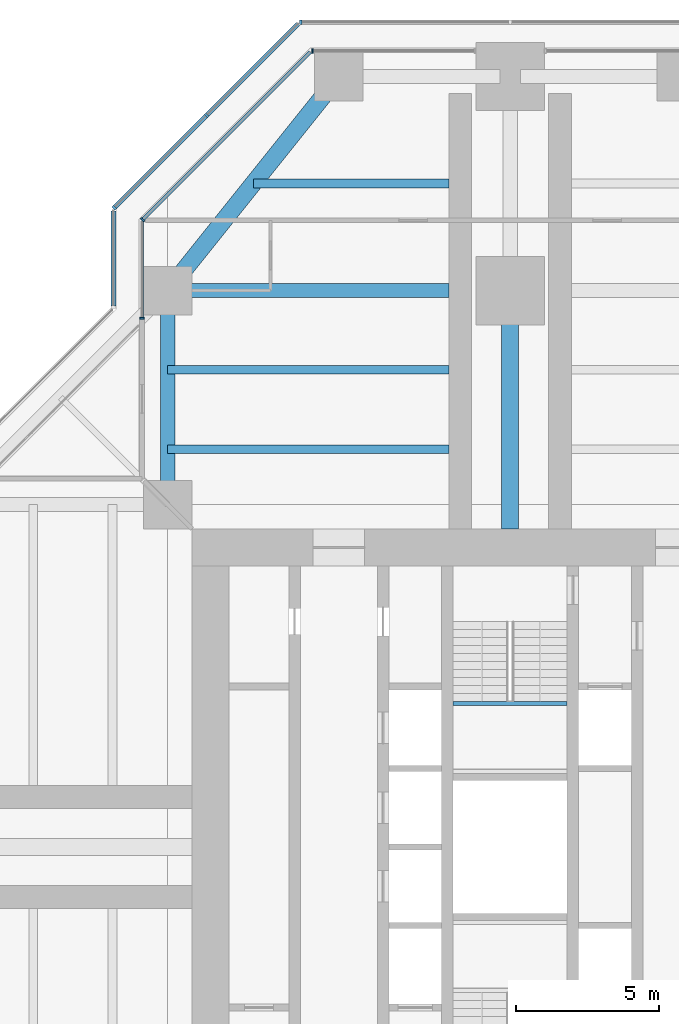
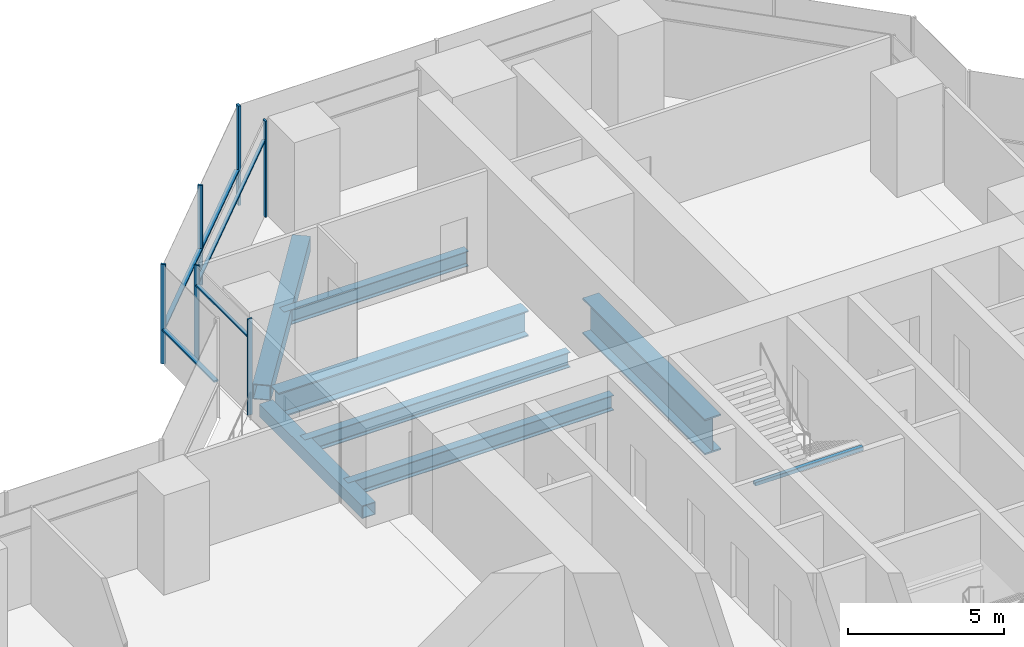
# One storey, part 8 of 19: 11 members, 8 beams, 6 elements without a shape of their own.
"""IFC4 building model written with IfcOpenShell, lengths in metres."""

from ifc_helpers import new_model, si_unit, direction, frame, origin, origin_2d, place, context, subcontext, project, spatial, rectangle, hollow_rectangle, i_section, extrude, material, material_profile, profile_set, type_object, element, aggregate, save


model = new_model("IFC4")

# Units and contexts
model_context = context("Model", 3, precision=1e-05, world=origin(), true_north=direction((0.0, 1.0)))
body_context = subcontext(model_context, "Body", "Model", "MODEL_VIEW")
ifc_project = project(units=[si_unit("LENGTHUNIT", "METRE"), si_unit("AREAUNIT", "SQUARE_METRE"), si_unit("VOLUMEUNIT", "CUBIC_METRE"), si_unit("PLANEANGLEUNIT", "RADIAN"), si_unit("MASSUNIT", "GRAM", prefix="KILO")], contexts=[model_context])

# Site, building, storey
site_placement = place(None, origin())
site = spatial("IfcSite", under=ifc_project, at=site_placement, CompositionType="ELEMENT")
building_placement = place(site_placement, origin())
building = spatial("IfcBuilding", under=site, at=building_placement, Name="Mizan Broadcast Tower", CompositionType="ELEMENT")
storey_placement = place(building_placement, frame((0.0, 0.0, 186.60009765625)))
storey = spatial("IfcBuildingStorey", under=building, at=storey_placement, Name="L43", CompositionType="ELEMENT", Elevation=186.60009765625)

# Beams
ifc_material_1 = material(Name="Steel S355", Category="steel")
ifc_material_profile_1 = material_profile(ifc_material_1, hollow_rectangle(XDim=0.5, YDim=0.5, WallThickness=0.030029296875, at=origin_2d()), Name="BOX 500x500x30")
ifc_profile_set_1 = profile_set([ifc_material_profile_1], Name="Steel S355")
beam_type_1 = type_object("IfcBeamType", Name="EDGE BEAM BOX 500x500x30", PredefinedType="SPANDREL", material=ifc_profile_set_1)
beam_1_placement = place(storey_placement, frame((-12.0, 12.449951171875, -0.380126953125), z_axis=(0.0, 1.0, 0.0), x_axis=(-1.0, 0.0, 0.0)))
element("IfcBeam", 1, at=beam_1_placement, inside=storey, type_object=beam_type_1, Name="Edge beam BOX 500x500x30 L43 north arm", PredefinedType="SPANDREL", context=body_context, shape_type="SweptSolid", body=[
    extrude(hollow_rectangle(XDim=0.5, YDim=0.5, WallThickness=0.030029296875, at=origin_2d()), origin(), (0.0, 0.0, 1.0), 6.60009765625),
])
ifc_material_2 = material(Name="Steel S355", Category="steel")
ifc_material_profile_2 = material_profile(ifc_material_2, hollow_rectangle(XDim=0.60009765625, YDim=0.60009765625, WallThickness=0.030029296875, at=origin_2d()), Name="BOX 600x600x30")
ifc_profile_set_2 = profile_set([ifc_material_profile_2], Name="Steel S355")
beam_type_2 = type_object("IfcBeamType", Name="EDGE BEAM BOX 600x600x30", PredefinedType="SPANDREL", material=ifc_profile_set_2)
beam_2_placement = place(storey_placement, frame((-11.639892578125, 19.949951171875, -0.43017578125), z_axis=(0.624673911726, 0.780885717636, 0.0), x_axis=(-0.780885717636, 0.624673911726, 0.0)))
element("IfcBeam", 2, at=beam_2_placement, inside=storey, type_object=beam_type_2, Name="Edge beam BOX 600x600x30 L43 north arm", PredefinedType="SPANDREL", context=body_context, shape_type="SweptSolid", body=[
    extrude(hollow_rectangle(XDim=0.60009765625, YDim=0.60009765625, WallThickness=0.030029296875, at=origin_2d()), origin(), (0.0, 0.0, 1.0), 8.4521484375),
])
ifc_material_3 = material(Name="Steel S460", Category="steel")
ifc_material_profile_3 = material_profile(ifc_material_3, i_section(OverallWidth=0.5, OverallDepth=1.0, WebThickness=0.02490234375, FlangeThickness=0.050048828125, at=origin_2d()), Name="WPG 1000x500")
ifc_profile_set_3 = profile_set([ifc_material_profile_3], Name="Steel S460")
beam_type_3 = type_object("IfcBeamType", Name="GIRDER WPG 1000x500", PredefinedType="BEAM", material=ifc_profile_set_3)
beam_3_placement = place(storey_placement, frame((-11.408935546875, 19.5, -0.630126953125), z_axis=(1.0, 0.0, 0.0), x_axis=(0.0, 1.0, 0.0)))
element("IfcBeam", 3, at=beam_3_placement, inside=storey, type_object=beam_type_3, Name="Girder WPG 1000x500 L43 north arm", PredefinedType="BEAM", context=body_context, shape_type="SweptSolid", body=[
    extrude(i_section(OverallWidth=0.5, OverallDepth=1.0, WebThickness=0.02490234375, FlangeThickness=0.050048828125, at=origin_2d()), origin(), (0.0, 0.0, 1.0), 9.259033203125),
])
ifc_material_4 = material(Name="Steel S460", Category="steel")
ifc_material_profile_4 = material_profile(ifc_material_4, i_section(OverallWidth=0.60009765625, OverallDepth=1.39990234375, WebThickness=0.02490234375, FlangeThickness=0.06005859375, at=origin_2d()), Name="WPG 1400x600")
ifc_profile_set_4 = profile_set([ifc_material_profile_4], Name="Steel S460")
beam_type_4 = type_object("IfcBeamType", Name="GIRDER WPG 1400x600", PredefinedType="BEAM", material=ifc_profile_set_4)
beam_4_placement = place(storey_placement, frame((0.0, 11.14990234375, -0.830078125), z_axis=(0.0, 1.0, 0.0), x_axis=(-1.0, 0.0, 0.0)))
element("IfcBeam", 4, at=beam_4_placement, inside=storey, type_object=beam_type_4, Name="Girder WPG 1400x600 L43 north arm", PredefinedType="BEAM", context=body_context, shape_type="SweptSolid", body=[
    extrude(i_section(OverallWidth=0.60009765625, OverallDepth=1.39990234375, WebThickness=0.02490234375, FlangeThickness=0.06005859375, at=origin_2d()), origin(), (0.0, 0.0, 1.0), 7.84912109375),
])

# Curtain wall, member
ifc_material_5 = material(Name="Aluminium framed glazing", Category="aluminium")
curtain_wall_type_1 = type_object("IfcCurtainWallType", Name="INNER SKIN MID ZONE", PredefinedType="USERDEFINED", material=ifc_material_5)
curtain_wall_1_placement = place(storey_placement, origin())
curtain_wall_1 = element("IfcCurtainWall", 5, at=curtain_wall_1_placement, inside=storey, type_object=curtain_wall_type_1, Name="Inner skin mid zone L43 N end", ObjectType="INNER SKIN MID ZONE", PredefinedType="USERDEFINED")
ifc_material_6 = material(Name="Aluminium, pale anodised", Category="aluminium")
ifc_material_profile_5 = material_profile(ifc_material_6, rectangle(XDim=0.159912109375, YDim=0.06005859375, at=origin_2d()), Name="MULLION 160x60")
ifc_profile_set_5 = profile_set([ifc_material_profile_5], Name="Aluminium, pale anodised")
member_type_1 = type_object("IfcMemberType", Name="INNER SKIN MULLION 60x160", PredefinedType="MULLION", material=ifc_profile_set_5)
member_1_placement = place(storey_placement, frame((-6.928466796875, 27.89990234375, 0.0), z_axis=(0.0, 0.0, 1.0), x_axis=(0.0, -1.0, 0.0)))
member_1 = element("IfcMember", 6, at=member_1_placement, type_object=member_type_1, Name="Inner skin mid zone L43 N end mullion 2", PredefinedType="MULLION", context=body_context, shape_type="SweptSolid", body=[
    extrude(rectangle(XDim=0.159912109375, YDim=0.06005859375, at=origin_2d()), origin(), (0.0, 0.0, 1.0), 3.77001953125),
])
aggregate(curtain_wall_1, [member_1])

curtain_wall_2_placement = place(storey_placement, origin())
curtain_wall_2 = element("IfcCurtainWall", 7, at=curtain_wall_2_placement, inside=storey, type_object=curtain_wall_type_1, Name="Inner skin mid zone L43 N chamfer", ObjectType="INNER SKIN MID ZONE", PredefinedType="USERDEFINED")
member_2_placement = place(storey_placement, frame((-12.87890625, 21.979736328125, 0.0), z_axis=(0.0, 0.0, 1.0), x_axis=(0.707106781187, -0.707106781187, 0.0)))
member_2 = element("IfcMember", 8, at=member_2_placement, type_object=member_type_1, Name="Inner skin mid zone L43 N chamfer mullion 2", PredefinedType="MULLION", context=body_context, shape_type="SweptSolid", body=[
    extrude(rectangle(XDim=0.159912109375, YDim=0.06005859375, at=origin_2d()), origin(), (0.0, 0.0, 1.0), 3.77001953125),
])

curtain_wall_3_placement = place(storey_placement, origin())
curtain_wall_3 = element("IfcCurtainWall", 9, at=curtain_wall_3_placement, inside=storey, type_object=curtain_wall_type_1, Name="Inner skin mid zone L43 N side", ObjectType="INNER SKIN MID ZONE", PredefinedType="USERDEFINED")
member_3_placement = place(storey_placement, frame((-12.89990234375, 18.530029296875, 0.0), z_axis=(0.0, 0.0, 1.0), x_axis=(1.0, 0.0, 0.0)))
member_3 = element("IfcMember", 10, at=member_3_placement, type_object=member_type_1, Name="Inner skin mid zone L43 N side mullion 2", PredefinedType="MULLION", context=body_context, shape_type="SweptSolid", body=[
    extrude(rectangle(XDim=0.159912109375, YDim=0.06005859375, at=origin_2d()), origin(), (0.0, 0.0, 1.0), 3.77001953125),
])

# Member
ifc_material_7 = material(Name="Aluminium, pale anodised", Category="aluminium")
ifc_material_profile_6 = material_profile(ifc_material_7, rectangle(XDim=0.1201171875, YDim=0.06005859375, at=origin_2d()), Name="TRANSOM 120x60")
ifc_profile_set_6 = profile_set([ifc_material_profile_6], Name="Aluminium, pale anodised")
member_type_2 = type_object("IfcMemberType", Name="INNER SKIN TRANSOM 60x120", PredefinedType="USERDEFINED", material=ifc_profile_set_6)
member_4_placement = place(storey_placement, frame((-7.0009765625, 27.857666015625, 3.02978515625), z_axis=(-0.707106781187, -0.707106781187, 0.0), x_axis=(0.707106781187, -0.707106781187, 0.0)))
member_4 = element("IfcMember", 11, at=member_4_placement, type_object=member_type_2, Name="Inner skin mid zone L43 N chamfer transom 1.1", ObjectType="TRANSOM", PredefinedType="USERDEFINED", context=body_context, shape_type="SweptSolid", body=[
    extrude(rectangle(XDim=0.1201171875, YDim=0.06005859375, at=origin_2d()), origin(), (0.0, 0.0, 1.0), 8.28271484375),
])

aggregate(curtain_wall_2, [member_2, member_4])

member_5_placement = place(storey_placement, frame((-12.89990234375, 21.898681640625, 3.02978515625), z_axis=(0.0, -1.0, 0.0), x_axis=(1.0, 0.0, 0.0)))
member_5 = element("IfcMember", 12, at=member_5_placement, type_object=member_type_2, Name="Inner skin mid zone L43 N side transom 1.1", ObjectType="TRANSOM", PredefinedType="USERDEFINED", context=body_context, shape_type="SweptSolid", body=[
    extrude(rectangle(XDim=0.1201171875, YDim=0.06005859375, at=origin_2d()), origin(), (0.0, 0.0, 1.0), 3.338623046875),
])

aggregate(curtain_wall_3, [member_3, member_5])

# Beam
ifc_material_8 = material(Name="Steel S355", Category="steel")
ifc_material_profile_7 = material_profile(ifc_material_8, hollow_rectangle(XDim=0.14990234375, YDim=0.14990234375, WallThickness=0.008056640625, InnerFilletRadius=0.008056640625, OuterFilletRadius=0.011962890625, at=origin_2d()), Name="SHS 150x150x8")
ifc_profile_set_7 = profile_set([ifc_material_profile_7], Name="Steel S355")
beam_type_5 = type_object("IfcBeamType", Name="LANDING TRIMMER SHS 150x150x8", PredefinedType="BEAM", material=ifc_profile_set_7)
beam_5_placement = place(storey_placement, frame((2.0, 5.02490234375, 1.6748046875), z_axis=(-1.0, 0.0, 0.0), x_axis=(0.0, -1.0, 0.0)))
element("IfcBeam", 13, at=beam_5_placement, inside=storey, type_object=beam_type_5, Name="Stair B landing trimmer L43", PredefinedType="BEAM", context=body_context, shape_type="SweptSolid", body=[
    extrude(hollow_rectangle(XDim=0.14990234375, YDim=0.14990234375, WallThickness=0.008056640625, InnerFilletRadius=0.008056640625, OuterFilletRadius=0.011962890625, at=origin_2d()), origin(), (0.0, 0.0, 1.0), 4.0),
])

# Curtain wall, member
ifc_material_9 = material(Name="Aluminium framed glazing", Category="aluminium")
curtain_wall_type_2 = type_object("IfcCurtainWallType", Name="OUTER SKIN", PredefinedType="USERDEFINED", material=ifc_material_9)
curtain_wall_4_placement = place(storey_placement, origin())
curtain_wall_4 = element("IfcCurtainWall", 14, at=curtain_wall_4_placement, inside=storey, type_object=curtain_wall_type_2, Name="Outer skin L43 N end", ObjectType="OUTER SKIN", PredefinedType="USERDEFINED")
ifc_material_10 = material(Name="Aluminium, pale anodised", Category="aluminium")
ifc_material_profile_8 = material_profile(ifc_material_10, rectangle(XDim=0.159912109375, YDim=0.080078125, at=origin_2d()), Name="MULLION 160x80")
ifc_profile_set_8 = profile_set([ifc_material_profile_8], Name="Aluminium, pale anodised")
member_type_3 = type_object("IfcMemberType", Name="OUTER SKIN MULLION 80x160", PredefinedType="MULLION", material=ifc_profile_set_8)
member_6_placement = place(storey_placement, frame((-7.332763671875, 28.89990234375, 0.0), z_axis=(0.0, 0.0, 1.0), x_axis=(0.0, -1.0, 0.0)))
member_6 = element("IfcMember", 15, at=member_6_placement, type_object=member_type_3, Name="Outer skin L43 N end mullion 3", PredefinedType="MULLION", context=body_context, shape_type="SweptSolid", body=[
    extrude(rectangle(XDim=0.159912109375, YDim=0.080078125, at=origin_2d()), origin(), (0.0, 0.0, 1.0), 3.89990234375),
])
aggregate(curtain_wall_4, [member_6])

# Curtain wall, members
curtain_wall_5_placement = place(storey_placement, origin())
curtain_wall_5 = element("IfcCurtainWall", 16, at=curtain_wall_5_placement, inside=storey, type_object=curtain_wall_type_2, Name="Outer skin L43 N chamfer", ObjectType="OUTER SKIN", PredefinedType="USERDEFINED")
member_7_placement = place(storey_placement, frame((-10.636474609375, 25.636474609375, 0.0), z_axis=(0.0, 0.0, 1.0), x_axis=(0.707106781187, -0.707106781187, 0.0)))
member_7 = element("IfcMember", 17, at=member_7_placement, type_object=member_type_3, Name="Outer skin L43 N chamfer mullion 2", PredefinedType="MULLION", context=body_context, shape_type="SweptSolid", body=[
    extrude(rectangle(XDim=0.159912109375, YDim=0.080078125, at=origin_2d()), origin(), (0.0, 0.0, 1.0), 3.89990234375),
])
member_8_placement = place(storey_placement, frame((-13.871826171875, 22.401123046875, 0.0), z_axis=(0.0, 0.0, 1.0), x_axis=(0.707106781187, -0.707106781187, 0.0)))
member_8 = element("IfcMember", 18, at=member_8_placement, type_object=member_type_3, Name="Outer skin L43 N chamfer mullion 3", PredefinedType="MULLION", context=body_context, shape_type="SweptSolid", body=[
    extrude(rectangle(XDim=0.159912109375, YDim=0.080078125, at=origin_2d()), origin(), (0.0, 0.0, 1.0), 3.89990234375),
])
ifc_material_11 = material(Name="Aluminium, pale anodised", Category="aluminium")
ifc_material_profile_9 = material_profile(ifc_material_11, rectangle(XDim=0.159912109375, YDim=0.06005859375, at=origin_2d()), Name="TRANSOM 160x60")
ifc_profile_set_9 = profile_set([ifc_material_profile_9], Name="Aluminium, pale anodised")
member_type_4 = type_object("IfcMemberType", Name="OUTER SKIN TRANSOM 60x160", PredefinedType="USERDEFINED", material=ifc_profile_set_9)
member_9_placement = place(storey_placement, frame((-7.429443359375, 28.843505859375, 1.39990234375), z_axis=(-0.707106781187, -0.707106781187, 0.0), x_axis=(0.707106781187, -0.707106781187, 0.0)))
member_9 = element("IfcMember", 19, at=member_9_placement, type_object=member_type_4, Name="Outer skin L43 N chamfer transom 1.1", ObjectType="TRANSOM", PredefinedType="USERDEFINED", context=body_context, shape_type="SweptSolid", body=[
    extrude(rectangle(XDim=0.159912109375, YDim=0.06005859375, at=origin_2d()), origin(), (0.0, 0.0, 1.0), 4.495361328125),
])
member_10_placement = place(storey_placement, frame((-10.664794921875, 25.608154296875, 1.39990234375), z_axis=(-0.707106781187, -0.707106781187, 0.0), x_axis=(0.707106781187, -0.707106781187, 0.0)))
member_10 = element("IfcMember", 20, at=member_10_placement, type_object=member_type_4, Name="Outer skin L43 N chamfer transom 2.1", ObjectType="TRANSOM", PredefinedType="USERDEFINED", context=body_context, shape_type="SweptSolid", body=[
    extrude(rectangle(XDim=0.159912109375, YDim=0.06005859375, at=origin_2d()), origin(), (0.0, 0.0, 1.0), 4.495361328125),
])
aggregate(curtain_wall_5, [member_7, member_8, member_9, member_10])

# Curtain wall, member
curtain_wall_6_placement = place(storey_placement, origin())
curtain_wall_6 = element("IfcCurtainWall", 21, at=curtain_wall_6_placement, inside=storey, type_object=curtain_wall_type_2, Name="Outer skin L43 N side", ObjectType="OUTER SKIN", PredefinedType="USERDEFINED")
member_11_placement = place(storey_placement, frame((-13.89990234375, 22.292724609375, 1.39990234375), z_axis=(0.0, -1.0, 0.0), x_axis=(1.0, 0.0, 0.0)))
member_11 = element("IfcMember", 22, at=member_11_placement, type_object=member_type_4, Name="Outer skin L43 N side transom 1.1", ObjectType="TRANSOM", PredefinedType="USERDEFINED", context=body_context, shape_type="SweptSolid", body=[
    extrude(rectangle(XDim=0.159912109375, YDim=0.06005859375, at=origin_2d()), origin(), (0.0, 0.0, 1.0), 3.33984375),
])
aggregate(curtain_wall_6, [member_11])

# Beams
ifc_material_12 = material(Name="Steel S355", Category="steel")
ifc_material_profile_10 = material_profile(ifc_material_12, i_section(OverallWidth=0.300048828125, OverallDepth=0.590087890625, WebThickness=0.012939453125, FlangeThickness=0.02490234375, FilletRadius=0.027099609375, at=origin_2d()), Name="HEA 600")
ifc_profile_set_10 = profile_set([ifc_material_profile_10], Name="Steel S355")
beam_type_6 = type_object("IfcBeamType", Name="SECONDARY BEAM HEA 600", PredefinedType="JOIST", material=ifc_profile_set_10)
for number, where, z_axis, x_axis, name in (
    (23, (-12.0, 13.933349609375, -0.425048828125), (1.0, 0.0, 0.0), (0.0, 1.0, 0.0), "Secondary beam HEA 600 L43 north arm"),
    (24, (-12.0, 16.716552734375, -0.425048828125), (1.0, 0.0, 0.0), (0.0, 1.0, 0.0), "Secondary beam HEA 600 L43 north arm"),
):
    element("IfcBeam", number, at=place(storey_placement, frame(where, z_axis=z_axis, x_axis=x_axis)), inside=storey, type_object=beam_type_6, Name=name, PredefinedType="JOIST", context=body_context, shape_type="SweptSolid", body=[
        extrude(i_section(OverallWidth=0.300048828125, OverallDepth=0.590087890625, WebThickness=0.012939453125, FlangeThickness=0.02490234375, FilletRadius=0.027099609375, at=origin_2d()), origin(), (0.0, 0.0, 1.0), 9.85009765625),
    ])
beam_6_placement = place(storey_placement, frame((-9.0, 23.25, -0.425048828125), z_axis=(1.0, 0.0, 0.0), x_axis=(0.0, 1.0, 0.0)))
element("IfcBeam", 25, at=beam_6_placement, inside=storey, type_object=beam_type_6, Name="Secondary beam HEA 600 L43 north arm", PredefinedType="JOIST", context=body_context, shape_type="SweptSolid", body=[
    extrude(i_section(OverallWidth=0.300048828125, OverallDepth=0.590087890625, WebThickness=0.012939453125, FlangeThickness=0.02490234375, FilletRadius=0.027099609375, at=origin_2d()), origin(), (0.0, 0.0, 1.0), 6.85009765625),
])

save(model, "model.ifc")
